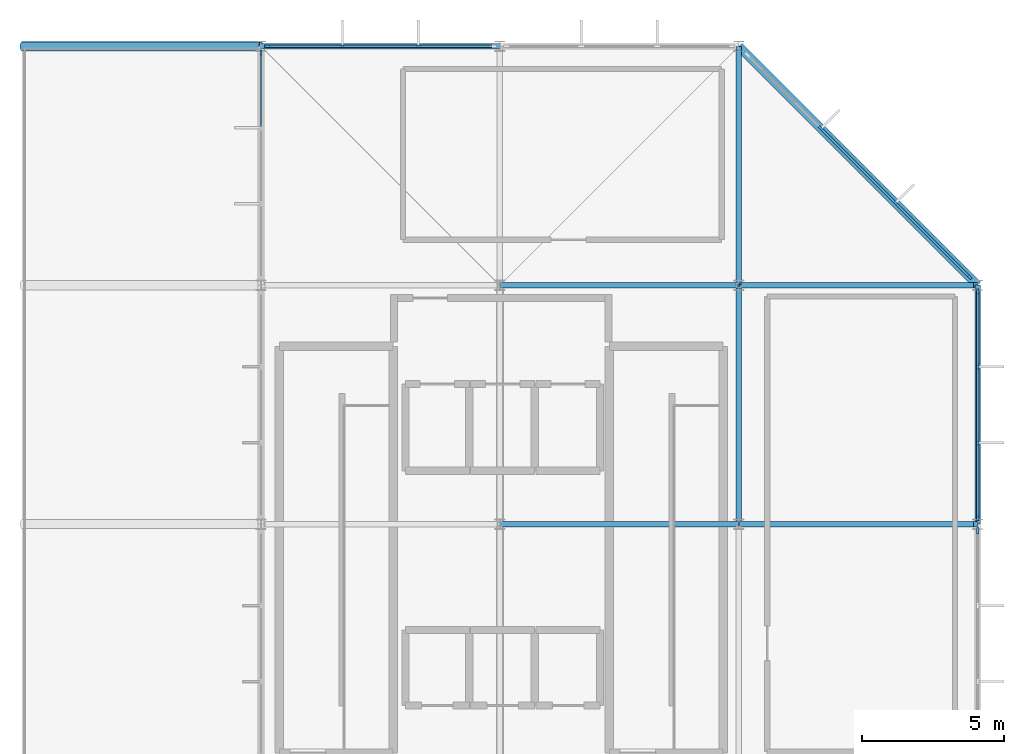
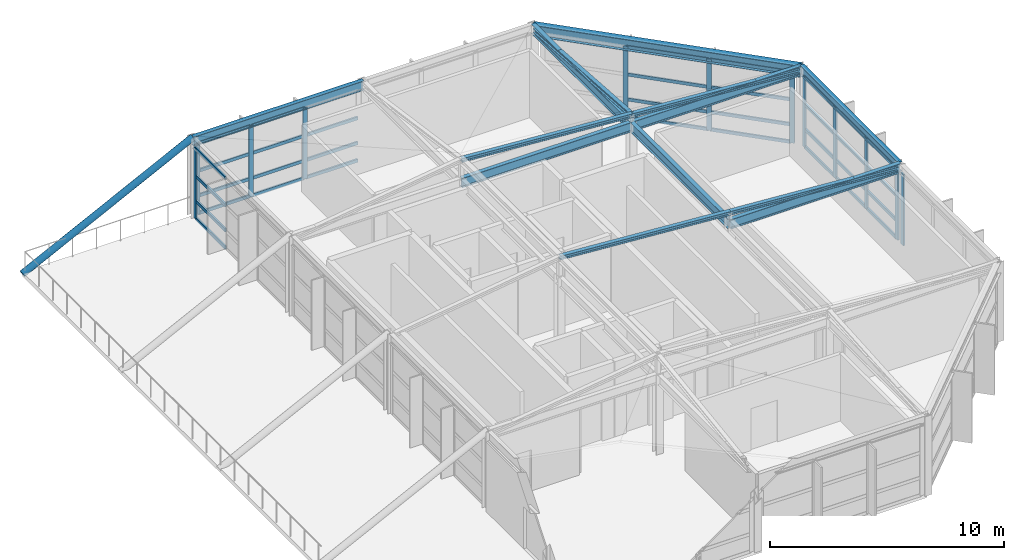
# One storey, part 4 of 9: 53 members, 8 beams, 5 elements without a shape of their own.
"""IFC4 building model written with IfcOpenShell, lengths in metres."""

from ifc_helpers import new_model, si_unit, direction, frame, origin, origin_2d, place, context, subcontext, project, spatial, rectangle, hollow_circle, i_section, extrude, material, material_profile, profile_set, type_object, element, aggregate, save


model = new_model("IFC4")

# Units and contexts
model_context = context("Model", 3, precision=1e-05, world=origin(), true_north=direction((0.0, 1.0)))
body_context = subcontext(model_context, "Body", "Model", "MODEL_VIEW")
ifc_project = project(units=[si_unit("LENGTHUNIT", "METRE"), si_unit("AREAUNIT", "SQUARE_METRE"), si_unit("VOLUMEUNIT", "CUBIC_METRE"), si_unit("PLANEANGLEUNIT", "RADIAN"), si_unit("MASSUNIT", "GRAM", prefix="KILO")], contexts=[model_context])

# Site, building, storey
site_placement = place(None, origin())
site = spatial("IfcSite", under=ifc_project, at=site_placement, CompositionType="ELEMENT")
building_placement = place(site_placement, origin())
building = spatial("IfcBuilding", under=site, at=building_placement, Name="Xuanlan Plaza Opera House", CompositionType="ELEMENT")
storey_placement = place(building_placement, frame((0.0, 0.0, 74.39990234375)))
storey = spatial("IfcBuildingStorey", under=building, at=storey_placement, Name="ROOF", CompositionType="ELEMENT", Elevation=74.39990234375)

# Curtain wall, member
ifc_material_1 = material(Name="Anodised Aluminium 6063-T6 and Low-E Glass", Category="aluminium")
curtain_wall_type_1 = type_object("IfcCurtainWallType", Name="ENV-CW-CW-04", PredefinedType="USERDEFINED", material=ifc_material_1)
curtain_wall_1_placement = place(storey_placement, origin())
curtain_wall_1 = element("IfcCurtainWall", 1, at=curtain_wall_1_placement, inside=storey, type_object=curtain_wall_type_1, Name="Unitised Curtain Wall ROOF-004", ObjectType="UNITISED CURTAIN WALL", PredefinedType="USERDEFINED")
ifc_material_2 = material(Name="Anodised Aluminium 6063-T6", Category="aluminium")
ifc_material_profile_1 = material_profile(ifc_material_2, rectangle(XDim=0.080078125, YDim=0.219970703125, at=origin_2d()), Name="ALU-M 80x220")
ifc_profile_set_1 = profile_set([ifc_material_profile_1], Name="Anodised Aluminium 6063-T6")
member_type_1 = type_object("IfcMemberType", Name="ENV-CWM-04", PredefinedType="MULLION", material=ifc_profile_set_1)
member_1_placement = place(storey_placement, frame((159.60009765625, 58.56494140625, 0.0), z_axis=(0.0, 0.0, 1.0), x_axis=(-1.0, 0.0, 0.0)))
member_1 = element("IfcMember", 2, at=member_1_placement, type_object=member_type_1, Name="CW-04 mullion 4", PredefinedType="MULLION", context=body_context, shape_type="SweptSolid", body=[
    extrude(rectangle(XDim=0.080078125, YDim=0.219970703125, at=origin_2d()), origin(), (0.0, 0.0, 1.0), 3.72021484375),
])
aggregate(curtain_wall_1, [member_1])

# Curtain wall, members
curtain_wall_type_2 = type_object("IfcCurtainWallType", Name="ENV-CW-CW-03", PredefinedType="USERDEFINED", material=ifc_material_1)
curtain_wall_2_placement = place(storey_placement, origin())
curtain_wall_2 = element("IfcCurtainWall", 3, at=curtain_wall_2_placement, inside=storey, type_object=curtain_wall_type_2, Name="Unitised Curtain Wall ROOF-005", ObjectType="UNITISED CURTAIN WALL", PredefinedType="USERDEFINED")
member_2_placement = place(storey_placement, frame((159.60009765625, 59.034912109375, 0.0), z_axis=(0.0, 0.0, 1.0), x_axis=(-1.0, 0.0, 0.0)))
member_2 = element("IfcMember", 4, at=member_2_placement, type_object=member_type_1, Name="CW-03 mullion 1", PredefinedType="MULLION", context=body_context, shape_type="SweptSolid", body=[
    extrude(rectangle(XDim=0.080078125, YDim=0.219970703125, at=origin_2d()), origin(), (0.0, 0.0, 1.0), 3.72021484375),
])
member_3_placement = place(storey_placement, frame((159.60009765625, 61.6650390625, 0.0), z_axis=(0.0, 0.0, 1.0), x_axis=(-1.0, 0.0, 0.0)))
member_3 = element("IfcMember", 5, at=member_3_placement, type_object=member_type_1, Name="CW-03 mullion 2", PredefinedType="MULLION", context=body_context, shape_type="SweptSolid", body=[
    extrude(rectangle(XDim=0.080078125, YDim=0.219970703125, at=origin_2d()), origin(), (0.0, 0.0, 1.0), 3.72021484375),
])
member_4_placement = place(storey_placement, frame((159.60009765625, 64.3349609375, 0.0), z_axis=(0.0, 0.0, 1.0), x_axis=(-1.0, 0.0, 0.0)))
member_4 = element("IfcMember", 6, at=member_4_placement, type_object=member_type_1, Name="CW-03 mullion 3", PredefinedType="MULLION", context=body_context, shape_type="SweptSolid", body=[
    extrude(rectangle(XDim=0.080078125, YDim=0.219970703125, at=origin_2d()), origin(), (0.0, 0.0, 1.0), 3.72021484375),
])
member_5_placement = place(storey_placement, frame((159.60009765625, 66.965087890625, 0.0), z_axis=(0.0, 0.0, 1.0), x_axis=(-1.0, 0.0, 0.0)))
member_5 = element("IfcMember", 7, at=member_5_placement, type_object=member_type_1, Name="CW-03 mullion 4", PredefinedType="MULLION", context=body_context, shape_type="SweptSolid", body=[
    extrude(rectangle(XDim=0.080078125, YDim=0.219970703125, at=origin_2d()), origin(), (0.0, 0.0, 1.0), 3.72021484375),
])

curtain_wall_3_placement = place(storey_placement, origin())
curtain_wall_3 = element("IfcCurtainWall", 8, at=curtain_wall_3_placement, inside=storey, type_object=curtain_wall_type_1, Name="Unitised Curtain Wall ROOF-006", ObjectType="UNITISED CURTAIN WALL", PredefinedType="USERDEFINED")
member_6_placement = place(storey_placement, frame((159.297607421875, 67.502197265625, 0.0), z_axis=(0.0, 0.0, 1.0), x_axis=(-0.707106781187, -0.707106781187, 0.0)))
member_6 = element("IfcMember", 9, at=member_6_placement, type_object=member_type_1, Name="CW-04 mullion 1", PredefinedType="MULLION", context=body_context, shape_type="SweptSolid", body=[
    extrude(rectangle(XDim=0.080078125, YDim=0.219970703125, at=origin_2d()), origin(), (0.0, 0.0, 1.0), 3.72021484375),
])
member_7_placement = place(storey_placement, frame((156.708740234375, 70.09130859375, 0.0), z_axis=(0.0, 0.0, 1.0), x_axis=(-0.707106781187, -0.707106781187, 0.0)))
member_7 = element("IfcMember", 10, at=member_7_placement, type_object=member_type_1, Name="CW-04 mullion 2", PredefinedType="MULLION", context=body_context, shape_type="SweptSolid", body=[
    extrude(rectangle(XDim=0.080078125, YDim=0.219970703125, at=origin_2d()), origin(), (0.0, 0.0, 1.0), 3.72021484375),
])
member_8_placement = place(storey_placement, frame((154.09130859375, 72.708740234375, 0.0), z_axis=(0.0, 0.0, 1.0), x_axis=(-0.707106781187, -0.707106781187, 0.0)))
member_8 = element("IfcMember", 11, at=member_8_placement, type_object=member_type_1, Name="CW-04 mullion 3", PredefinedType="MULLION", context=body_context, shape_type="SweptSolid", body=[
    extrude(rectangle(XDim=0.080078125, YDim=0.219970703125, at=origin_2d()), origin(), (0.0, 0.0, 1.0), 3.72021484375),
])

curtain_wall_4_placement = place(storey_placement, origin())
curtain_wall_4 = element("IfcCurtainWall", 12, at=curtain_wall_4_placement, inside=storey, type_object=curtain_wall_type_1, Name="Unitised Curtain Wall ROOF-008", ObjectType="UNITISED CURTAIN WALL", PredefinedType="USERDEFINED")
member_9_placement = place(storey_placement, frame((139.93505859375, 75.60009765625, 0.0), z_axis=(0.0, 0.0, 1.0), x_axis=(0.0, -1.0, 0.0)))
member_9 = element("IfcMember", 13, at=member_9_placement, type_object=member_type_1, Name="CW-04 mullion 2", PredefinedType="MULLION", context=body_context, shape_type="SweptSolid", body=[
    extrude(rectangle(XDim=0.080078125, YDim=0.219970703125, at=origin_2d()), origin(), (0.0, 0.0, 1.0), 3.72021484375),
])
member_10_placement = place(storey_placement, frame((137.264892578125, 75.60009765625, 0.0), z_axis=(0.0, 0.0, 1.0), x_axis=(0.0, -1.0, 0.0)))
member_10 = element("IfcMember", 14, at=member_10_placement, type_object=member_type_1, Name="CW-04 mullion 3", PredefinedType="MULLION", context=body_context, shape_type="SweptSolid", body=[
    extrude(rectangle(XDim=0.080078125, YDim=0.219970703125, at=origin_2d()), origin(), (0.0, 0.0, 1.0), 3.72021484375),
])
member_11_placement = place(storey_placement, frame((134.635009765625, 75.60009765625, 0.0), z_axis=(0.0, 0.0, 1.0), x_axis=(0.0, -1.0, 0.0)))
member_11 = element("IfcMember", 15, at=member_11_placement, type_object=member_type_1, Name="CW-04 mullion 4", PredefinedType="MULLION", context=body_context, shape_type="SweptSolid", body=[
    extrude(rectangle(XDim=0.080078125, YDim=0.219970703125, at=origin_2d()), origin(), (0.0, 0.0, 1.0), 3.72021484375),
])

# Curtain wall, member
curtain_wall_5_placement = place(storey_placement, origin())
curtain_wall_5 = element("IfcCurtainWall", 16, at=curtain_wall_5_placement, inside=storey, type_object=curtain_wall_type_2, Name="Unitised Curtain Wall ROOF-009", ObjectType="UNITISED CURTAIN WALL", PredefinedType="USERDEFINED")
member_12_placement = place(storey_placement, frame((134.39990234375, 75.364990234375, 0.0), z_axis=(0.0, 0.0, 1.0), x_axis=(1.0, 0.0, 0.0)))
member_12 = element("IfcMember", 17, at=member_12_placement, type_object=member_type_1, Name="CW-03 mullion 1", PredefinedType="MULLION", context=body_context, shape_type="SweptSolid", body=[
    extrude(rectangle(XDim=0.080078125, YDim=0.219970703125, at=origin_2d()), origin(), (0.0, 0.0, 1.0), 3.72021484375),
])

# Member
ifc_material_profile_2 = material_profile(ifc_material_2, rectangle(XDim=0.080078125, YDim=0.1650390625, at=origin_2d()), Name="ALU-T 80x165")
ifc_profile_set_2 = profile_set([ifc_material_profile_2], Name="Anodised Aluminium 6063-T6")
member_type_2 = type_object("IfcMemberType", Name="ENV-CWT-04", PredefinedType="USERDEFINED", material=ifc_profile_set_2)
member_13_placement = place(storey_placement, frame((159.60009765625, 59.074951171875, 0.0400390625), z_axis=(0.0, 1.0, 0.0), x_axis=(-1.0, 0.0, 0.0)))
member_13 = element("IfcMember", 18, at=member_13_placement, type_object=member_type_2, Name="CW-03 transom 1.1", ObjectType="TRANSOM", PredefinedType="USERDEFINED", context=body_context, shape_type="SweptSolid", body=[
    extrude(rectangle(XDim=0.080078125, YDim=0.1650390625, at=origin_2d()), origin(), (0.0, 0.0, 1.0), 2.550048828125),
])

member_14_placement = place(storey_placement, frame((159.60009765625, 59.074951171875, 0.9501953125), z_axis=(0.0, 1.0, 0.0), x_axis=(-1.0, 0.0, 0.0)))
member_14 = element("IfcMember", 19, at=member_14_placement, type_object=member_type_2, Name="CW-03 transom 1.2", ObjectType="TRANSOM", PredefinedType="USERDEFINED", context=body_context, shape_type="SweptSolid", body=[
    extrude(rectangle(XDim=0.080078125, YDim=0.1650390625, at=origin_2d()), origin(), (0.0, 0.0, 1.0), 2.550048828125),
])

member_15_placement = place(storey_placement, frame((159.60009765625, 59.074951171875, 2.25), z_axis=(0.0, 1.0, 0.0), x_axis=(-1.0, 0.0, 0.0)))
member_15 = element("IfcMember", 20, at=member_15_placement, type_object=member_type_2, Name="CW-03 transom 1.3", ObjectType="TRANSOM", PredefinedType="USERDEFINED", context=body_context, shape_type="SweptSolid", body=[
    extrude(rectangle(XDim=0.080078125, YDim=0.1650390625, at=origin_2d()), origin(), (0.0, 0.0, 1.0), 2.550048828125),
])

member_16_placement = place(storey_placement, frame((159.60009765625, 59.074951171875, 3.68017578125), z_axis=(0.0, 1.0, 0.0), x_axis=(-1.0, 0.0, 0.0)))
member_16 = element("IfcMember", 21, at=member_16_placement, type_object=member_type_2, Name="CW-03 transom 1.4", ObjectType="TRANSOM", PredefinedType="USERDEFINED", context=body_context, shape_type="SweptSolid", body=[
    extrude(rectangle(XDim=0.080078125, YDim=0.1650390625, at=origin_2d()), origin(), (0.0, 0.0, 1.0), 2.550048828125),
])

member_17_placement = place(storey_placement, frame((159.60009765625, 61.705078125, 0.0400390625), z_axis=(0.0, 1.0, 0.0), x_axis=(-1.0, 0.0, 0.0)))
member_17 = element("IfcMember", 22, at=member_17_placement, type_object=member_type_2, Name="CW-03 transom 2.1", ObjectType="TRANSOM", PredefinedType="USERDEFINED", context=body_context, shape_type="SweptSolid", body=[
    extrude(rectangle(XDim=0.080078125, YDim=0.1650390625, at=origin_2d()), origin(), (0.0, 0.0, 1.0), 2.58984375),
])

member_18_placement = place(storey_placement, frame((159.60009765625, 61.705078125, 0.9501953125), z_axis=(0.0, 1.0, 0.0), x_axis=(-1.0, 0.0, 0.0)))
member_18 = element("IfcMember", 23, at=member_18_placement, type_object=member_type_2, Name="CW-03 transom 2.2", ObjectType="TRANSOM", PredefinedType="USERDEFINED", context=body_context, shape_type="SweptSolid", body=[
    extrude(rectangle(XDim=0.080078125, YDim=0.1650390625, at=origin_2d()), origin(), (0.0, 0.0, 1.0), 2.58984375),
])

member_19_placement = place(storey_placement, frame((159.60009765625, 61.705078125, 2.25), z_axis=(0.0, 1.0, 0.0), x_axis=(-1.0, 0.0, 0.0)))
member_19 = element("IfcMember", 24, at=member_19_placement, type_object=member_type_2, Name="CW-03 transom 2.3", ObjectType="TRANSOM", PredefinedType="USERDEFINED", context=body_context, shape_type="SweptSolid", body=[
    extrude(rectangle(XDim=0.080078125, YDim=0.1650390625, at=origin_2d()), origin(), (0.0, 0.0, 1.0), 2.58984375),
])

member_20_placement = place(storey_placement, frame((159.60009765625, 61.705078125, 3.68017578125), z_axis=(0.0, 1.0, 0.0), x_axis=(-1.0, 0.0, 0.0)))
member_20 = element("IfcMember", 25, at=member_20_placement, type_object=member_type_2, Name="CW-03 transom 2.4", ObjectType="TRANSOM", PredefinedType="USERDEFINED", context=body_context, shape_type="SweptSolid", body=[
    extrude(rectangle(XDim=0.080078125, YDim=0.1650390625, at=origin_2d()), origin(), (0.0, 0.0, 1.0), 2.58984375),
])

member_21_placement = place(storey_placement, frame((159.60009765625, 64.375, 0.0400390625), z_axis=(0.0, 1.0, 0.0), x_axis=(-1.0, 0.0, 0.0)))
member_21 = element("IfcMember", 26, at=member_21_placement, type_object=member_type_2, Name="CW-03 transom 3.1", ObjectType="TRANSOM", PredefinedType="USERDEFINED", context=body_context, shape_type="SweptSolid", body=[
    extrude(rectangle(XDim=0.080078125, YDim=0.1650390625, at=origin_2d()), origin(), (0.0, 0.0, 1.0), 2.550048828125),
])

member_22_placement = place(storey_placement, frame((159.60009765625, 64.375, 0.9501953125), z_axis=(0.0, 1.0, 0.0), x_axis=(-1.0, 0.0, 0.0)))
member_22 = element("IfcMember", 27, at=member_22_placement, type_object=member_type_2, Name="CW-03 transom 3.2", ObjectType="TRANSOM", PredefinedType="USERDEFINED", context=body_context, shape_type="SweptSolid", body=[
    extrude(rectangle(XDim=0.080078125, YDim=0.1650390625, at=origin_2d()), origin(), (0.0, 0.0, 1.0), 2.550048828125),
])

member_23_placement = place(storey_placement, frame((159.60009765625, 64.375, 2.25), z_axis=(0.0, 1.0, 0.0), x_axis=(-1.0, 0.0, 0.0)))
member_23 = element("IfcMember", 28, at=member_23_placement, type_object=member_type_2, Name="CW-03 transom 3.3", ObjectType="TRANSOM", PredefinedType="USERDEFINED", context=body_context, shape_type="SweptSolid", body=[
    extrude(rectangle(XDim=0.080078125, YDim=0.1650390625, at=origin_2d()), origin(), (0.0, 0.0, 1.0), 2.550048828125),
])

member_24_placement = place(storey_placement, frame((159.60009765625, 64.375, 3.68017578125), z_axis=(0.0, 1.0, 0.0), x_axis=(-1.0, 0.0, 0.0)))
member_24 = element("IfcMember", 29, at=member_24_placement, type_object=member_type_2, Name="CW-03 transom 3.4", ObjectType="TRANSOM", PredefinedType="USERDEFINED", context=body_context, shape_type="SweptSolid", body=[
    extrude(rectangle(XDim=0.080078125, YDim=0.1650390625, at=origin_2d()), origin(), (0.0, 0.0, 1.0), 2.550048828125),
])

aggregate(curtain_wall_2, [member_2, member_3, member_4, member_5, member_13, member_14, member_15, member_16, member_17, member_18, member_19, member_20, member_21, member_22, member_23, member_24])

member_25_placement = place(storey_placement, frame((159.26953125, 67.530517578125, 0.0400390625), z_axis=(-0.707106781187, 0.707106781187, 0.0), x_axis=(-0.707106781187, -0.707106781187, 0.0)))
member_25 = element("IfcMember", 30, at=member_25_placement, type_object=member_type_2, Name="CW-04 transom 1.1", ObjectType="TRANSOM", PredefinedType="USERDEFINED", context=body_context, shape_type="SweptSolid", body=[
    extrude(rectangle(XDim=0.080078125, YDim=0.1650390625, at=origin_2d()), origin(), (0.0, 0.0, 1.0), 3.58154296875),
])

member_26_placement = place(storey_placement, frame((159.26953125, 67.530517578125, 0.9501953125), z_axis=(-0.707106781187, 0.707106781187, 0.0), x_axis=(-0.707106781187, -0.707106781187, 0.0)))
member_26 = element("IfcMember", 31, at=member_26_placement, type_object=member_type_2, Name="CW-04 transom 1.2", ObjectType="TRANSOM", PredefinedType="USERDEFINED", context=body_context, shape_type="SweptSolid", body=[
    extrude(rectangle(XDim=0.080078125, YDim=0.1650390625, at=origin_2d()), origin(), (0.0, 0.0, 1.0), 3.58154296875),
])

member_27_placement = place(storey_placement, frame((159.26953125, 67.530517578125, 2.25), z_axis=(-0.707106781187, 0.707106781187, 0.0), x_axis=(-0.707106781187, -0.707106781187, 0.0)))
member_27 = element("IfcMember", 32, at=member_27_placement, type_object=member_type_2, Name="CW-04 transom 1.3", ObjectType="TRANSOM", PredefinedType="USERDEFINED", context=body_context, shape_type="SweptSolid", body=[
    extrude(rectangle(XDim=0.080078125, YDim=0.1650390625, at=origin_2d()), origin(), (0.0, 0.0, 1.0), 3.58154296875),
])

member_28_placement = place(storey_placement, frame((159.26953125, 67.530517578125, 3.68017578125), z_axis=(-0.707106781187, 0.707106781187, 0.0), x_axis=(-0.707106781187, -0.707106781187, 0.0)))
member_28 = element("IfcMember", 33, at=member_28_placement, type_object=member_type_2, Name="CW-04 transom 1.4", ObjectType="TRANSOM", PredefinedType="USERDEFINED", context=body_context, shape_type="SweptSolid", body=[
    extrude(rectangle(XDim=0.080078125, YDim=0.1650390625, at=origin_2d()), origin(), (0.0, 0.0, 1.0), 3.58154296875),
])

member_29_placement = place(storey_placement, frame((156.680419921875, 70.11962890625, 0.0400390625), z_axis=(-0.707106781187, 0.707106781187, 0.0), x_axis=(-0.707106781187, -0.707106781187, 0.0)))
member_29 = element("IfcMember", 34, at=member_29_placement, type_object=member_type_2, Name="CW-04 transom 2.1", ObjectType="TRANSOM", PredefinedType="USERDEFINED", context=body_context, shape_type="SweptSolid", body=[
    extrude(rectangle(XDim=0.080078125, YDim=0.1650390625, at=origin_2d()), origin(), (0.0, 0.0, 1.0), 3.62158203125),
])

member_30_placement = place(storey_placement, frame((156.680419921875, 70.11962890625, 0.9501953125), z_axis=(-0.707106781187, 0.707106781187, 0.0), x_axis=(-0.707106781187, -0.707106781187, 0.0)))
member_30 = element("IfcMember", 35, at=member_30_placement, type_object=member_type_2, Name="CW-04 transom 2.2", ObjectType="TRANSOM", PredefinedType="USERDEFINED", context=body_context, shape_type="SweptSolid", body=[
    extrude(rectangle(XDim=0.080078125, YDim=0.1650390625, at=origin_2d()), origin(), (0.0, 0.0, 1.0), 3.62158203125),
])

member_31_placement = place(storey_placement, frame((156.680419921875, 70.11962890625, 2.25), z_axis=(-0.707106781187, 0.707106781187, 0.0), x_axis=(-0.707106781187, -0.707106781187, 0.0)))
member_31 = element("IfcMember", 36, at=member_31_placement, type_object=member_type_2, Name="CW-04 transom 2.3", ObjectType="TRANSOM", PredefinedType="USERDEFINED", context=body_context, shape_type="SweptSolid", body=[
    extrude(rectangle(XDim=0.080078125, YDim=0.1650390625, at=origin_2d()), origin(), (0.0, 0.0, 1.0), 3.62158203125),
])

member_32_placement = place(storey_placement, frame((156.680419921875, 70.11962890625, 3.68017578125), z_axis=(-0.707106781187, 0.707106781187, 0.0), x_axis=(-0.707106781187, -0.707106781187, 0.0)))
member_32 = element("IfcMember", 37, at=member_32_placement, type_object=member_type_2, Name="CW-04 transom 2.4", ObjectType="TRANSOM", PredefinedType="USERDEFINED", context=body_context, shape_type="SweptSolid", body=[
    extrude(rectangle(XDim=0.080078125, YDim=0.1650390625, at=origin_2d()), origin(), (0.0, 0.0, 1.0), 3.62158203125),
])

aggregate(curtain_wall_3, [member_6, member_7, member_8, member_25, member_26, member_27, member_28, member_29, member_30, member_31, member_32])

member_33_placement = place(storey_placement, frame((142.52490234375, 75.60009765625, 0.0400390625), z_axis=(-1.0, 0.0, 0.0), x_axis=(0.0, -1.0, 0.0)))
member_33 = element("IfcMember", 38, at=member_33_placement, type_object=member_type_2, Name="CW-04 transom 1.1", ObjectType="TRANSOM", PredefinedType="USERDEFINED", context=body_context, shape_type="SweptSolid", body=[
    extrude(rectangle(XDim=0.080078125, YDim=0.1650390625, at=origin_2d()), origin(), (0.0, 0.0, 1.0), 2.5498046875),
])

member_34_placement = place(storey_placement, frame((142.52490234375, 75.60009765625, 0.9501953125), z_axis=(-1.0, 0.0, 0.0), x_axis=(0.0, -1.0, 0.0)))
member_34 = element("IfcMember", 39, at=member_34_placement, type_object=member_type_2, Name="CW-04 transom 1.2", ObjectType="TRANSOM", PredefinedType="USERDEFINED", context=body_context, shape_type="SweptSolid", body=[
    extrude(rectangle(XDim=0.080078125, YDim=0.1650390625, at=origin_2d()), origin(), (0.0, 0.0, 1.0), 2.5498046875),
])

member_35_placement = place(storey_placement, frame((142.52490234375, 75.60009765625, 2.25), z_axis=(-1.0, 0.0, 0.0), x_axis=(0.0, -1.0, 0.0)))
member_35 = element("IfcMember", 40, at=member_35_placement, type_object=member_type_2, Name="CW-04 transom 1.3", ObjectType="TRANSOM", PredefinedType="USERDEFINED", context=body_context, shape_type="SweptSolid", body=[
    extrude(rectangle(XDim=0.080078125, YDim=0.1650390625, at=origin_2d()), origin(), (0.0, 0.0, 1.0), 2.5498046875),
])

member_36_placement = place(storey_placement, frame((139.89501953125, 75.60009765625, 0.0400390625), z_axis=(-1.0, 0.0, 0.0), x_axis=(0.0, -1.0, 0.0)))
member_36 = element("IfcMember", 41, at=member_36_placement, type_object=member_type_2, Name="CW-04 transom 2.1", ObjectType="TRANSOM", PredefinedType="USERDEFINED", context=body_context, shape_type="SweptSolid", body=[
    extrude(rectangle(XDim=0.080078125, YDim=0.1650390625, at=origin_2d()), origin(), (0.0, 0.0, 1.0), 2.590087890625),
])

member_37_placement = place(storey_placement, frame((139.89501953125, 75.60009765625, 0.9501953125), z_axis=(-1.0, 0.0, 0.0), x_axis=(0.0, -1.0, 0.0)))
member_37 = element("IfcMember", 42, at=member_37_placement, type_object=member_type_2, Name="CW-04 transom 2.2", ObjectType="TRANSOM", PredefinedType="USERDEFINED", context=body_context, shape_type="SweptSolid", body=[
    extrude(rectangle(XDim=0.080078125, YDim=0.1650390625, at=origin_2d()), origin(), (0.0, 0.0, 1.0), 2.590087890625),
])

member_38_placement = place(storey_placement, frame((139.89501953125, 75.60009765625, 2.25), z_axis=(-1.0, 0.0, 0.0), x_axis=(0.0, -1.0, 0.0)))
member_38 = element("IfcMember", 43, at=member_38_placement, type_object=member_type_2, Name="CW-04 transom 2.3", ObjectType="TRANSOM", PredefinedType="USERDEFINED", context=body_context, shape_type="SweptSolid", body=[
    extrude(rectangle(XDim=0.080078125, YDim=0.1650390625, at=origin_2d()), origin(), (0.0, 0.0, 1.0), 2.590087890625),
])

member_39_placement = place(storey_placement, frame((139.89501953125, 75.60009765625, 3.68017578125), z_axis=(-1.0, 0.0, 0.0), x_axis=(0.0, -1.0, 0.0)))
member_39 = element("IfcMember", 44, at=member_39_placement, type_object=member_type_2, Name="CW-04 transom 2.4", ObjectType="TRANSOM", PredefinedType="USERDEFINED", context=body_context, shape_type="SweptSolid", body=[
    extrude(rectangle(XDim=0.080078125, YDim=0.1650390625, at=origin_2d()), origin(), (0.0, 0.0, 1.0), 2.590087890625),
])

member_40_placement = place(storey_placement, frame((137.22509765625, 75.60009765625, 0.0400390625), z_axis=(-1.0, 0.0, 0.0), x_axis=(0.0, -1.0, 0.0)))
member_40 = element("IfcMember", 45, at=member_40_placement, type_object=member_type_2, Name="CW-04 transom 3.1", ObjectType="TRANSOM", PredefinedType="USERDEFINED", context=body_context, shape_type="SweptSolid", body=[
    extrude(rectangle(XDim=0.080078125, YDim=0.1650390625, at=origin_2d()), origin(), (0.0, 0.0, 1.0), 2.550048828125),
])

member_41_placement = place(storey_placement, frame((137.22509765625, 75.60009765625, 0.9501953125), z_axis=(-1.0, 0.0, 0.0), x_axis=(0.0, -1.0, 0.0)))
member_41 = element("IfcMember", 46, at=member_41_placement, type_object=member_type_2, Name="CW-04 transom 3.2", ObjectType="TRANSOM", PredefinedType="USERDEFINED", context=body_context, shape_type="SweptSolid", body=[
    extrude(rectangle(XDim=0.080078125, YDim=0.1650390625, at=origin_2d()), origin(), (0.0, 0.0, 1.0), 2.550048828125),
])

member_42_placement = place(storey_placement, frame((137.22509765625, 75.60009765625, 2.25), z_axis=(-1.0, 0.0, 0.0), x_axis=(0.0, -1.0, 0.0)))
member_42 = element("IfcMember", 47, at=member_42_placement, type_object=member_type_2, Name="CW-04 transom 3.3", ObjectType="TRANSOM", PredefinedType="USERDEFINED", context=body_context, shape_type="SweptSolid", body=[
    extrude(rectangle(XDim=0.080078125, YDim=0.1650390625, at=origin_2d()), origin(), (0.0, 0.0, 1.0), 2.550048828125),
])

member_43_placement = place(storey_placement, frame((137.22509765625, 75.60009765625, 3.68017578125), z_axis=(-1.0, 0.0, 0.0), x_axis=(0.0, -1.0, 0.0)))
member_43 = element("IfcMember", 48, at=member_43_placement, type_object=member_type_2, Name="CW-04 transom 3.4", ObjectType="TRANSOM", PredefinedType="USERDEFINED", context=body_context, shape_type="SweptSolid", body=[
    extrude(rectangle(XDim=0.080078125, YDim=0.1650390625, at=origin_2d()), origin(), (0.0, 0.0, 1.0), 2.550048828125),
])

aggregate(curtain_wall_4, [member_9, member_10, member_11, member_33, member_34, member_35, member_36, member_37, member_38, member_39, member_40, member_41, member_42, member_43])

member_44_placement = place(storey_placement, frame((134.39990234375, 75.324951171875, 0.0400390625), z_axis=(0.0, -1.0, 0.0), x_axis=(1.0, 0.0, 0.0)))
member_44 = element("IfcMember", 49, at=member_44_placement, type_object=member_type_2, Name="CW-03 transom 1.1", ObjectType="TRANSOM", PredefinedType="USERDEFINED", context=body_context, shape_type="SweptSolid", body=[
    extrude(rectangle(XDim=0.080078125, YDim=0.1650390625, at=origin_2d()), origin(), (0.0, 0.0, 1.0), 2.550048828125),
])

member_45_placement = place(storey_placement, frame((134.39990234375, 75.324951171875, 0.9501953125), z_axis=(0.0, -1.0, 0.0), x_axis=(1.0, 0.0, 0.0)))
member_45 = element("IfcMember", 50, at=member_45_placement, type_object=member_type_2, Name="CW-03 transom 1.2", ObjectType="TRANSOM", PredefinedType="USERDEFINED", context=body_context, shape_type="SweptSolid", body=[
    extrude(rectangle(XDim=0.080078125, YDim=0.1650390625, at=origin_2d()), origin(), (0.0, 0.0, 1.0), 2.550048828125),
])

member_46_placement = place(storey_placement, frame((134.39990234375, 75.324951171875, 2.25), z_axis=(0.0, -1.0, 0.0), x_axis=(1.0, 0.0, 0.0)))
member_46 = element("IfcMember", 51, at=member_46_placement, type_object=member_type_2, Name="CW-03 transom 1.3", ObjectType="TRANSOM", PredefinedType="USERDEFINED", context=body_context, shape_type="SweptSolid", body=[
    extrude(rectangle(XDim=0.080078125, YDim=0.1650390625, at=origin_2d()), origin(), (0.0, 0.0, 1.0), 2.550048828125),
])

member_47_placement = place(storey_placement, frame((134.39990234375, 75.324951171875, 3.68017578125), z_axis=(0.0, -1.0, 0.0), x_axis=(1.0, 0.0, 0.0)))
member_47 = element("IfcMember", 52, at=member_47_placement, type_object=member_type_2, Name="CW-03 transom 1.4", ObjectType="TRANSOM", PredefinedType="USERDEFINED", context=body_context, shape_type="SweptSolid", body=[
    extrude(rectangle(XDim=0.080078125, YDim=0.1650390625, at=origin_2d()), origin(), (0.0, 0.0, 1.0), 2.550048828125),
])

aggregate(curtain_wall_5, [member_12, member_44, member_45, member_46, member_47])

# Beams
ifc_material_3 = material(Name="Steel Q355B", Category="steel")
ifc_material_profile_3 = material_profile(ifc_material_3, i_section(OverallWidth=0.199951171875, OverallDepth=0.5, WebThickness=0.010009765625, FlangeThickness=0.01611328125, FilletRadius=0.02001953125, at=origin_2d()), Name="HN 500x200x10x16")
ifc_profile_set_3 = profile_set([ifc_material_profile_3], Name="Steel Q355B")
beam_type_1 = type_object("IfcBeamType", Name="STR-BM-SB-05", PredefinedType="BEAM", material=ifc_profile_set_3)
beam_1_placement = place(storey_placement, frame((151.199951171875, 58.800048828125, 3.900146484375), z_axis=(1.0, 0.0, 0.0), x_axis=(0.0, 1.0, 0.0)))
element("IfcBeam", 53, at=beam_1_placement, inside=storey, type_object=beam_type_1, Name="Crown Sky-Lantern Beam X ROOF 19-20/H", PredefinedType="BEAM", context=body_context, shape_type="SweptSolid", body=[
    extrude(i_section(OverallWidth=0.199951171875, OverallDepth=0.5, WebThickness=0.010009765625, FlangeThickness=0.01611328125, FilletRadius=0.02001953125, at=origin_2d()), origin(), (0.0, 0.0, 1.0), 8.400146484375),
])
beam_2_placement = place(storey_placement, frame((142.800048828125, 67.199951171875, 3.900146484375), z_axis=(1.0, 0.0, 0.0), x_axis=(0.0, 1.0, 0.0)))
element("IfcBeam", 54, at=beam_2_placement, inside=storey, type_object=beam_type_1, Name="Crown Sky-Lantern Beam X ROOF 18-19/I", PredefinedType="BEAM", context=body_context, shape_type="SweptSolid", body=[
    extrude(i_section(OverallWidth=0.199951171875, OverallDepth=0.5, WebThickness=0.010009765625, FlangeThickness=0.01611328125, FilletRadius=0.02001953125, at=origin_2d()), origin(), (0.0, 0.0, 1.0), 8.39990234375),
])
for number, where, z_axis, x_axis, name in (
    (55, (151.199951171875, 67.199951171875, 3.900146484375), (1.0, 0.0, 0.0), (0.0, 1.0, 0.0), "Crown Sky-Lantern Beam X ROOF 19-20/I"),
    (56, (134.39990234375, 75.60009765625, 3.900146484375), (1.0, 0.0, 0.0), (0.0, 1.0, 0.0), "Crown Sky-Lantern Beam X ROOF 17-18/J"),
):
    element("IfcBeam", number, at=place(storey_placement, frame(where, z_axis=z_axis, x_axis=x_axis)), inside=storey, type_object=beam_type_1, Name=name, PredefinedType="BEAM", context=body_context, shape_type="SweptSolid", body=[
        extrude(i_section(OverallWidth=0.199951171875, OverallDepth=0.5, WebThickness=0.010009765625, FlangeThickness=0.01611328125, FilletRadius=0.02001953125, at=origin_2d()), origin(), (0.0, 0.0, 1.0), 8.400146484375),
    ])
beam_3_placement = place(storey_placement, frame((151.199951171875, 58.800048828125, 3.900146484375), z_axis=(0.0, 1.0, 0.0), x_axis=(-1.0, 0.0, 0.0)))
element("IfcBeam", 57, at=beam_3_placement, inside=storey, type_object=beam_type_1, Name="Crown Sky-Lantern Beam Y ROOF 19/H-I", PredefinedType="BEAM", context=body_context, shape_type="SweptSolid", body=[
    extrude(i_section(OverallWidth=0.199951171875, OverallDepth=0.5, WebThickness=0.010009765625, FlangeThickness=0.01611328125, FilletRadius=0.02001953125, at=origin_2d()), origin(), (0.0, 0.0, 1.0), 8.39990234375),
])
beam_4_placement = place(storey_placement, frame((151.199951171875, 67.199951171875, 3.900146484375), z_axis=(0.0, 1.0, 0.0), x_axis=(-1.0, 0.0, 0.0)))
element("IfcBeam", 58, at=beam_4_placement, inside=storey, type_object=beam_type_1, Name="Crown Sky-Lantern Beam Y ROOF 19/I-J", PredefinedType="BEAM", context=body_context, shape_type="SweptSolid", body=[
    extrude(i_section(OverallWidth=0.199951171875, OverallDepth=0.5, WebThickness=0.010009765625, FlangeThickness=0.01611328125, FilletRadius=0.02001953125, at=origin_2d()), origin(), (0.0, 0.0, 1.0), 8.400146484375),
])
beam_5_placement = place(storey_placement, frame((159.60009765625, 58.800048828125, 3.900146484375), z_axis=(0.0, 1.0, 0.0), x_axis=(-1.0, 0.0, 0.0)))
element("IfcBeam", 59, at=beam_5_placement, inside=storey, type_object=beam_type_1, Name="Crown Sky-Lantern Beam Y ROOF 20/H-I", PredefinedType="BEAM", context=body_context, shape_type="SweptSolid", body=[
    extrude(i_section(OverallWidth=0.199951171875, OverallDepth=0.5, WebThickness=0.010009765625, FlangeThickness=0.01611328125, FilletRadius=0.02001953125, at=origin_2d()), origin(), (0.0, 0.0, 1.0), 8.39990234375),
])
ifc_material_profile_4 = material_profile(ifc_material_3, i_section(OverallWidth=0.300048828125, OverallDepth=0.587890625, WebThickness=0.011962890625, FlangeThickness=0.02001953125, FilletRadius=0.02392578125, at=origin_2d()), Name="HM 588x300x12x20")
ifc_profile_set_4 = profile_set([ifc_material_profile_4], Name="Steel Q355B")
beam_type_2 = type_object("IfcBeamType", Name="STR-BM-SP-03", PredefinedType="SPANDREL", material=ifc_profile_set_4)
beam_6_placement = place(storey_placement, frame((159.60009765625, 67.199951171875, 3.856201171875), z_axis=(-0.707106781187, 0.707106781187, 0.0), x_axis=(-0.707106781187, -0.707106781187, 0.0)))
element("IfcBeam", 60, at=beam_6_placement, inside=storey, type_object=beam_type_2, Name="Crown Sky-Lantern Chamfer Spandrel ROOF NE", PredefinedType="SPANDREL", context=body_context, shape_type="SweptSolid", body=[
    extrude(i_section(OverallWidth=0.300048828125, OverallDepth=0.587890625, WebThickness=0.011962890625, FlangeThickness=0.02001953125, FilletRadius=0.02392578125, at=origin_2d()), origin(), (0.0, 0.0, 1.0), 11.879638671875),
])

# Members
ifc_material_profile_5 = material_profile(ifc_material_3, hollow_circle(Radius=0.161865234375, WallThickness=0.013916015625, at=origin_2d()), Name="CHS 323.9x14")
ifc_profile_set_5 = profile_set([ifc_material_profile_5], Name="Steel Q355B")
member_type_3 = type_object("IfcMemberType", Name="STR-MEM-BR-03", PredefinedType="BRACE", material=ifc_profile_set_5)
member_48_placement = place(storey_placement, frame((126.0, 75.60009765625, -0.099853515625), z_axis=(0.895279051449, 0.0, 0.445505802472), x_axis=(0.0, 1.0, 0.0)))
element("IfcMember", 61, at=member_48_placement, inside=storey, type_object=member_type_3, Name="Crown West Sky-Deck Raked Portal Rib 05", PredefinedType="BRACE", context=body_context, shape_type="SweptSolid", body=[
    extrude(hollow_circle(Radius=0.161865234375, WallThickness=0.013916015625, at=origin_2d()), origin(), (0.0, 0.0, 1.0), 9.38232421875),
])
ifc_material_profile_6 = material_profile(ifc_material_3, i_section(OverallWidth=0.199951171875, OverallDepth=0.199951171875, WebThickness=0.008056640625, FlangeThickness=0.011962890625, FilletRadius=0.012939453125, at=origin_2d()), Name="HW 200x200x8x12")
ifc_profile_set_6 = profile_set([ifc_material_profile_6], Name="Steel Q355B")
member_type_4 = type_object("IfcMemberType", Name="STR-MEM-TC-02", PredefinedType="CHORD", material=ifc_profile_set_6)
member_49_placement = place(storey_placement, frame((151.199951171875, 58.800048828125, 4.47998046875), z_axis=(-0.997457816785, 0.0, 0.071259411546), x_axis=(0.0, -1.0, 0.0)))
element("IfcMember", 62, at=member_49_placement, inside=storey, type_object=member_type_4, Name="Crown Lantern Sloped Rafter 08", PredefinedType="CHORD", context=body_context, shape_type="SweptSolid", body=[
    extrude(i_section(OverallWidth=0.199951171875, OverallDepth=0.199951171875, WebThickness=0.008056640625, FlangeThickness=0.011962890625, FilletRadius=0.012939453125, at=origin_2d()), origin(), (0.0, 0.0, 1.0), 8.42138671875),
])
member_50_placement = place(storey_placement, frame((159.449951171875, 58.800048828125, 3.900146484375), z_axis=(-0.997539269165, 0.0, 0.07010995988), x_axis=(0.0, -1.0, 0.0)))
element("IfcMember", 63, at=member_50_placement, inside=storey, type_object=member_type_4, Name="Crown Lantern Sloped Rafter 09", PredefinedType="CHORD", context=body_context, shape_type="SweptSolid", body=[
    extrude(i_section(OverallWidth=0.199951171875, OverallDepth=0.199951171875, WebThickness=0.008056640625, FlangeThickness=0.011962890625, FilletRadius=0.012939453125, at=origin_2d()), origin(), (0.0, 0.0, 1.0), 8.270263671875),
])
member_51_placement = place(storey_placement, frame((151.199951171875, 67.199951171875, 4.47998046875), z_axis=(-0.997457816785, 0.0, 0.071259411546), x_axis=(0.0, -1.0, 0.0)))
element("IfcMember", 64, at=member_51_placement, inside=storey, type_object=member_type_4, Name="Crown Lantern Sloped Rafter 10", PredefinedType="CHORD", context=body_context, shape_type="SweptSolid", body=[
    extrude(i_section(OverallWidth=0.199951171875, OverallDepth=0.199951171875, WebThickness=0.008056640625, FlangeThickness=0.011962890625, FilletRadius=0.012939453125, at=origin_2d()), origin(), (0.0, 0.0, 1.0), 8.42138671875),
])
for number, where, z_axis, x_axis, name in (
    (65, (159.449951171875, 67.199951171875, 3.900146484375), (-0.997539269165, 0.0, 0.07010995988), (0.0, -1.0, 0.0), "Crown Lantern Sloped Rafter 11"),
    (66, (151.199951171875, 75.449951171875, 3.900146484375), (0.0, -0.997539269165, 0.07010995988), (1.0, 0.0, 0.0), "Crown Lantern Sloped Rafter 13"),
):
    element("IfcMember", number, at=place(storey_placement, frame(where, z_axis=z_axis, x_axis=x_axis)), inside=storey, type_object=member_type_4, Name=name, PredefinedType="CHORD", context=body_context, shape_type="SweptSolid", body=[
        extrude(i_section(OverallWidth=0.199951171875, OverallDepth=0.199951171875, WebThickness=0.008056640625, FlangeThickness=0.011962890625, FilletRadius=0.012939453125, at=origin_2d()), origin(), (0.0, 0.0, 1.0), 8.270263671875),
    ])

save(model, "model.ifc")
